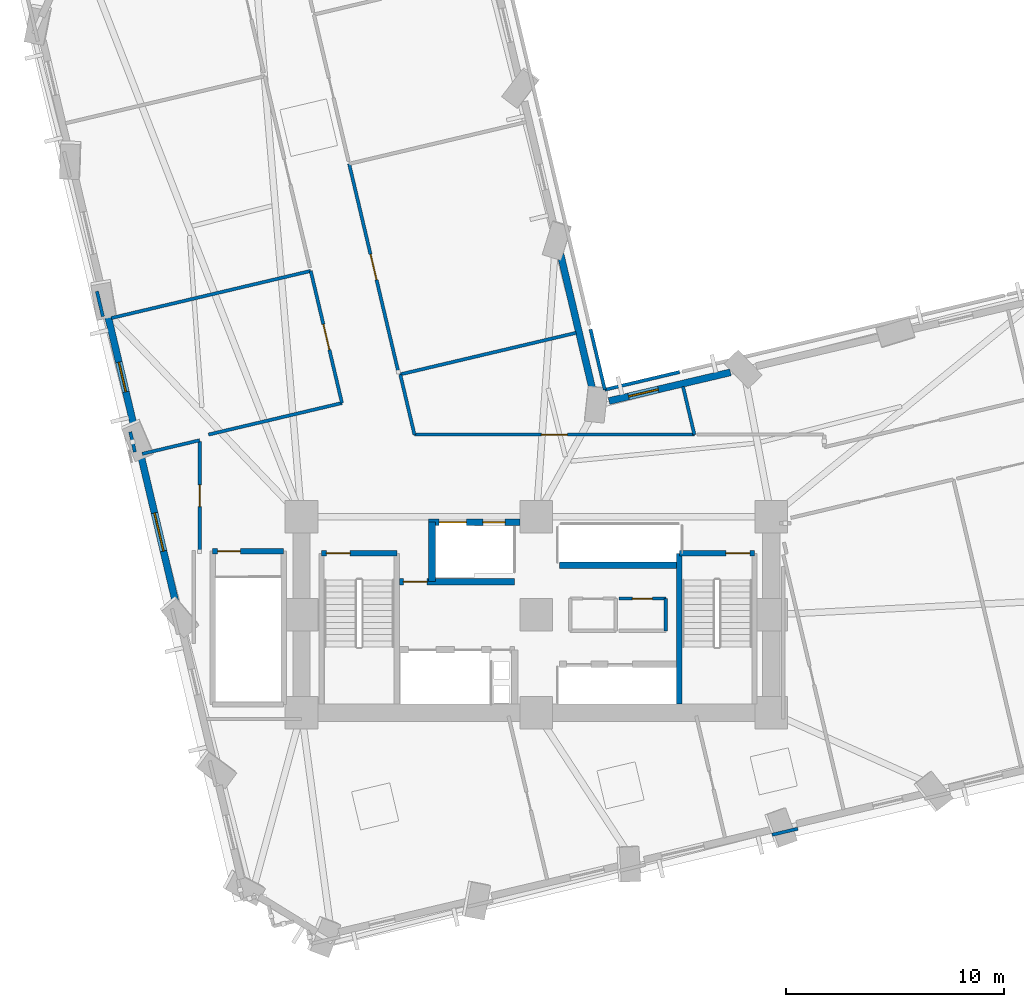
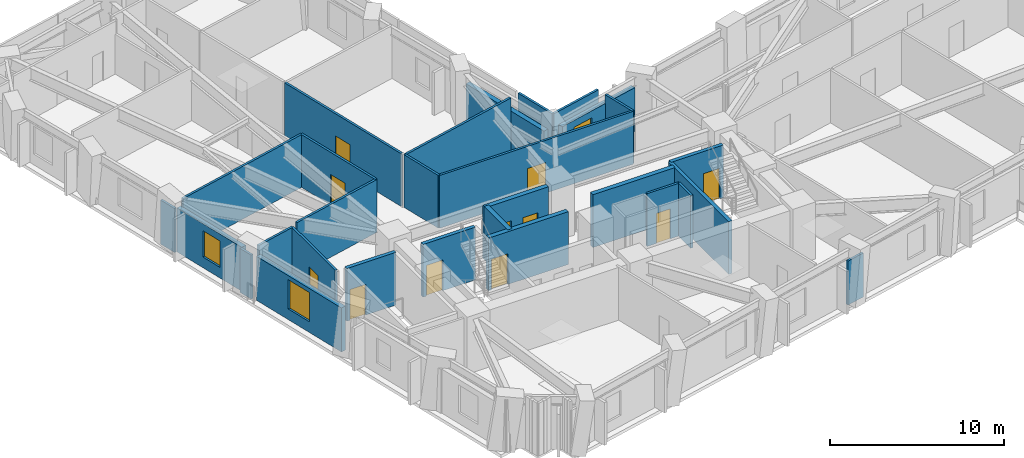
# One storey, part 7 of 14: 29 walls, 11 doors, 3 windows, 14 openings.
"""IFC4 building model written with IfcOpenShell, lengths in metres."""

from ifc_helpers import new_model, si_unit, direction, frame, frame_2d, origin, place, context, subcontext, project, spatial, rectangle, extrude, material, layer, layer_set, type_object, element, fill, save


model = new_model("IFC4")

# Units and contexts
model_context = context("Model", 3, precision=1e-05, world=origin(), true_north=direction((0.0, 1.0)))
body_context = subcontext(model_context, "Body", "Model", "MODEL_VIEW")
ifc_project = project(units=[si_unit("LENGTHUNIT", "METRE"), si_unit("AREAUNIT", "SQUARE_METRE"), si_unit("VOLUMEUNIT", "CUBIC_METRE"), si_unit("PLANEANGLEUNIT", "RADIAN"), si_unit("MASSUNIT", "GRAM", prefix="KILO")], contexts=[model_context])

# Site, building, storey
site_placement = place(None, origin())
site = spatial("IfcSite", under=ifc_project, at=site_placement, CompositionType="ELEMENT")
building_placement = place(site_placement, origin())
building = spatial("IfcBuilding", under=site, at=building_placement, Name="Gaonmaruhae Medical Tower", CompositionType="ELEMENT")
storey_placement = place(building_placement, frame((0.0, 0.0, 79.0)))
storey = spatial("IfcBuildingStorey", under=building, at=storey_placement, Name="L18", CompositionType="ELEMENT", Elevation=79.0)

# Wall, opening, window
ifc_material_1 = material(Name="Precast concrete C45/55", Category="concrete")
ifc_layer_1 = layer(ifc_material_1, 0.320068359375)
ifc_layer_set_1 = layer_set([ifc_layer_1], Name="Precast concrete C45/55")
wall_type_1 = type_object("IfcWallType", Name="EW-320 Lower Precast Masonry-Frame Facade Wall", PredefinedType="SOLIDWALL", material=ifc_layer_set_1)
wall_1_placement = place(storey_placement, frame((28.13671875, 22.121337890625, 0.0), z_axis=(0.0, 0.0, 1.0), x_axis=(0.973179415544, 0.230047441111, 0.0)))
wall_1 = element("IfcWall", 1, at=wall_1_placement, inside=storey, type_object=wall_type_1, Name="L18 Precast Masonry-Frame Wall EN04-KN01", PredefinedType="SOLIDWALL", context=body_context, shape_type="SweptSolid", body=[
    extrude(rectangle(XDim=5.736083984375, YDim=0.320068359375, at=frame_2d((2.8681640625, 0.0))), origin(), (0.0, 0.0, 1.0), 3.0849609375),
])
opening_1_placement = place(wall_1_placement, frame((0.927978515625, 0.0, 0.75)))
opening_1 = element("IfcOpeningElement", 2, at=opening_1_placement, cuts=wall_1, Name="Opening WN-03", PredefinedType="OPENING", context=body_context, shape_type="SweptSolid", body=[
    extrude(rectangle(XDim=1.39990234375, YDim=1.85009765625, at=frame_2d((0.699951171875, 0.925048828125))), frame((0.0, 0.169921875, 0.0), z_axis=(0.0, -1.0, 0.0), x_axis=(1.0, 0.0, 0.0)), (0.0, 0.0, 1.0), 0.340087890625),
])
ifc_material_2 = material(Name="Anodised aluminium and Low-E double glazing", Category="aluminium")
window_type_1 = type_object("IfcWindowType", Name="WN-03 Isolation Ward Punched Window 1400x1850", PartitioningType="SINGLE_PANEL", PredefinedType="WINDOW", material=ifc_material_2)
window_1_placement = place(opening_1_placement, origin())
window_1 = element("IfcWindow", 3, at=window_1_placement, inside=storey, type_object=window_type_1, Name="L18 Modular Facade Window EN04", OverallHeight=1.85009765625, OverallWidth=1.39990234375, PartitioningType="SINGLE_PANEL", PredefinedType="WINDOW", context=body_context, shape_type="SweptSolid", body=[
    extrude(rectangle(XDim=1.39990234375, YDim=1.85009765625, at=frame_2d((0.699951171875, 0.925048828125))), frame((0.0, 0.030029296875, 0.0), z_axis=(0.0, -1.0, 0.0), x_axis=(1.0, 0.0, 0.0)), (0.0, 0.0, 1.0), 0.06005859375),
])
fill(opening_1, window_1)

# Wall
wall_2_placement = place(storey_placement, frame((27.408935546875, 22.51806640625, 0.0), z_axis=(0.0, 0.0, 1.0), x_axis=(-0.230053111414, 0.973178075138, 0.0)))
element("IfcWall", 4, at=wall_2_placement, inside=storey, type_object=wall_type_1, Name="L18 Precast Masonry-Frame Wall KN01-NE01", PredefinedType="SOLIDWALL", context=body_context, shape_type="SweptSolid", body=[
    extrude(rectangle(XDim=6.5361328125, YDim=0.320068359375, at=frame_2d((3.26806640625, 0.0))), origin(), (0.0, 0.0, 1.0), 2.784912109375),
])

# Wall, opening, window
wall_3_placement = place(storey_placement, frame((6.35009765625, 20.752685546875, 0.0), z_axis=(0.0, 0.0, 1.0), x_axis=(-0.230050193373, 0.973178764939, 0.0)))
wall_3 = element("IfcWall", 5, at=wall_3_placement, inside=storey, type_object=wall_type_1, Name="L18 Precast Masonry-Frame Wall W03-W04", PredefinedType="SOLIDWALL", context=body_context, shape_type="SweptSolid", body=[
    extrude(rectangle(XDim=5.437744140625, YDim=0.320068359375, at=frame_2d((2.71875, 0.0))), origin(), (0.0, 0.0, 1.0), 3.0849609375),
])
opening_2_placement = place(wall_3_placement, frame((1.842529296875, 0.0, 0.75)))
opening_2 = element("IfcOpeningElement", 6, at=opening_2_placement, cuts=wall_3, Name="Opening WN-03", PredefinedType="OPENING", context=body_context, shape_type="SweptSolid", body=[
    extrude(rectangle(XDim=1.39990234375, YDim=1.85009765625, at=frame_2d((0.699951171875, 0.925048828125))), frame((0.0, 0.169921875, 0.0), z_axis=(0.0, -1.0, 0.0), x_axis=(1.0, 0.0, 0.0)), (0.0, 0.0, 1.0), 0.340087890625),
])
window_2_placement = place(opening_2_placement, origin())
window_2 = element("IfcWindow", 7, at=window_2_placement, inside=storey, type_object=window_type_1, Name="L18 Modular Facade Window W03", OverallHeight=1.85009765625, OverallWidth=1.39990234375, PartitioningType="SINGLE_PANEL", PredefinedType="WINDOW", context=body_context, shape_type="SweptSolid", body=[
    extrude(rectangle(XDim=1.39990234375, YDim=1.85009765625, at=frame_2d((0.699951171875, 0.925048828125))), frame((0.0, 0.030029296875, 0.0), z_axis=(0.0, -1.0, 0.0), x_axis=(1.0, 0.0, 0.0)), (0.0, 0.0, 1.0), 0.06005859375),
])
fill(opening_2, window_2)

wall_4_placement = place(storey_placement, frame((8.271484375, 12.625, 0.0), z_axis=(0.0, 0.0, 1.0), x_axis=(-0.230038414449, 0.97318154929, 0.0)))
wall_4 = element("IfcWall", 8, at=wall_4_placement, inside=storey, type_object=wall_type_1, Name="L18 Precast Masonry-Frame Wall W04-W05", PredefinedType="SOLIDWALL", context=body_context, shape_type="SweptSolid", body=[
    extrude(rectangle(XDim=7.13623046875, YDim=0.320068359375, at=frame_2d((3.568115234375, 0.0))), origin(), (0.0, 0.0, 1.0), 3.0849609375),
])
opening_3_placement = place(wall_4_placement, frame((2.668701171875, 0.0, 0.75)))
opening_3 = element("IfcOpeningElement", 9, at=opening_3_placement, cuts=wall_4, Name="Opening WN-04", PredefinedType="OPENING", context=body_context, shape_type="SweptSolid", body=[
    extrude(rectangle(XDim=1.800048828125, YDim=2.050048828125, at=frame_2d((0.89990234375, 1.02490234375))), frame((0.0, 0.169921875, 0.0), z_axis=(0.0, -1.0, 0.0), x_axis=(1.0, 0.0, 0.0)), (0.0, 0.0, 1.0), 0.340087890625),
])
window_type_2 = type_object("IfcWindowType", Name="WN-04 Clinic & Consult Punched Window 1800x2050", PartitioningType="SINGLE_PANEL", PredefinedType="WINDOW", material=ifc_material_2)
window_3_placement = place(opening_3_placement, origin())
window_3 = element("IfcWindow", 10, at=window_3_placement, inside=storey, type_object=window_type_2, Name="L18 Modular Facade Window W04", OverallHeight=2.050048828125, OverallWidth=1.800048828125, PartitioningType="SINGLE_PANEL", PredefinedType="WINDOW", context=body_context, shape_type="SweptSolid", body=[
    extrude(rectangle(XDim=1.800048828125, YDim=2.050048828125, at=frame_2d((0.89990234375, 1.02490234375))), frame((0.0, 0.030029296875, 0.0), z_axis=(0.0, -1.0, 0.0), x_axis=(1.0, 0.0, 0.0)), (0.0, 0.0, 1.0), 0.06005859375),
])
fill(opening_3, window_3)

# Wall, opening, door
ifc_material_3 = material(Name="Gypsum board partition", Category="gypsum")
ifc_layer_2 = layer(ifc_material_3, 0.14990234375)
ifc_layer_set_2 = layer_set([ifc_layer_2], Name="Gypsum board partition")
wall_type_2 = type_object("IfcWallType", Name="PW-150 Rated Clinical Corridor Partition", PredefinedType="PARTITIONING", material=ifc_layer_set_2)
wall_5_placement = place(storey_placement, frame((28.60009765625, 13.0400390625, 0.0), z_axis=(0.0, 0.0, 1.0), x_axis=(1.0, 0.0, 0.0)))
wall_5 = element("IfcWall", 11, at=wall_5_placement, inside=storey, type_object=wall_type_2, Name="L18 Interior Partition L18-CS2-5", PredefinedType="PARTITIONING", context=body_context, shape_type="SweptSolid", body=[
    extrude(rectangle(XDim=2.14990234375, YDim=0.14990234375, at=frame_2d((1.074951171875, 0.0))), origin(), (0.0, 0.0, 1.0), 3.699951171875),
])
opening_4_placement = place(wall_5_placement, frame((0.614990234375, 0.0, 0.0)))
opening_4 = element("IfcOpeningElement", 12, at=opening_4_placement, cuts=wall_5, Name="Opening UD-01", PredefinedType="OPENING", context=body_context, shape_type="SweptSolid", body=[
    extrude(rectangle(XDim=0.919921875, YDim=2.10009765625, at=frame_2d((0.4599609375, 1.050048828125))), frame((0.0, 0.0849609375, 0.0), z_axis=(0.0, -1.0, 0.0), x_axis=(1.0, 0.0, 0.0)), (0.0, 0.0, 1.0), 0.169921875),
])
ifc_material_4 = material(Name="Powder-coated steel utility door", Category="steel")
door_type_1 = type_object("IfcDoorType", Name="UD-01 Toilet, Utility & Housekeeping Door 920x2100", OperationType="NOTDEFINED", PredefinedType="DOOR", material=ifc_material_4)
door_1_placement = place(opening_4_placement, origin())
door_1 = element("IfcDoor", 13, at=door_1_placement, inside=storey, type_object=door_type_1, Name="L18 Biomedical Telemetry Closet Door", OperationType="SINGLE_SWING_RIGHT", OverallHeight=2.10009765625, OverallWidth=0.919921875, PredefinedType="DOOR", context=body_context, shape_type="SweptSolid", body=[
    extrude(rectangle(XDim=0.919921875, YDim=2.10009765625, at=frame_2d((0.4599609375, 1.050048828125))), frame((0.0, 0.02490234375, 0.0), z_axis=(0.0, -1.0, 0.0), x_axis=(1.0, 0.0, 0.0)), (0.0, 0.0, 1.0), 0.050048828125),
])
fill(opening_4, door_1)

# Walls
wall_6_placement = place(storey_placement, frame((30.75, 13.0400390625, 0.0), z_axis=(0.0, 0.0, 1.0), x_axis=(0.0, -1.0, 0.0)))
element("IfcWall", 14, at=wall_6_placement, inside=storey, type_object=wall_type_2, Name="L18 Interior Partition L18-CS2-6", PredefinedType="PARTITIONING", context=body_context, shape_type="SweptSolid", body=[
    extrude(rectangle(XDim=1.47998046875, YDim=0.14990234375, at=frame_2d((0.739990234375, 0.0))), origin(), (0.0, 0.0, 1.0), 3.699951171875),
])
wall_7_placement = place(storey_placement, frame((36.818115234375, 2.4609375, 0.0), z_axis=(0.0, 0.0, 1.0), x_axis=(-0.973293226806, -0.229565447429, 0.0)))
element("IfcWall", 15, at=wall_7_placement, inside=storey, type_object=wall_type_2, Name="L18 Interior Partition L18-SUP04-22", PredefinedType="PARTITIONING", context=body_context, shape_type="SweptSolid", body=[
    extrude(rectangle(XDim=1.215576171875, YDim=0.14990234375, at=frame_2d((0.60791015625, 0.0))), origin(), (0.0, 0.0, 1.0), 3.0849609375),
])
wall_8_placement = place(storey_placement, frame((6.679931640625, 19.695068359375, 0.0), z_axis=(0.0, 0.0, 1.0), x_axis=(0.973185345339, 0.230022354604, 0.0)))
element("IfcWall", 16, at=wall_8_placement, inside=storey, type_object=wall_type_2, Name="L18 Interior Partition L18-WCL09-45", PredefinedType="PARTITIONING", context=body_context, shape_type="SweptSolid", body=[
    extrude(rectangle(XDim=2.712890625, YDim=0.14990234375, at=frame_2d((1.3564453125, 0.0))), origin(), (0.0, 0.0, 1.0), 3.699951171875),
])

# Wall, opening, door
wall_9_placement = place(storey_placement, frame((9.320068359375, 20.26806640625, 0.0), z_axis=(0.0, 0.0, 1.0), x_axis=(0.0, -1.0, 0.0)))
wall_9 = element("IfcWall", 17, at=wall_9_placement, inside=storey, type_object=wall_type_2, Name="L18 Interior Partition L18-WCL09-46", PredefinedType="PARTITIONING", context=body_context, shape_type="SweptSolid", body=[
    extrude(rectangle(XDim=4.990966796875, YDim=0.14990234375, at=frame_2d((2.49560546875, 0.0))), origin(), (0.0, 0.0, 1.0), 3.699951171875),
])
opening_5_placement = place(wall_9_placement, frame((1.99560546875, 0.0, 0.0)))
opening_5 = element("IfcOpeningElement", 18, at=opening_5_placement, cuts=wall_9, Name="Opening CD-01", PredefinedType="OPENING", context=body_context, shape_type="SweptSolid", body=[
    extrude(rectangle(XDim=1.0, YDim=2.1201171875, at=frame_2d((0.5, 1.06005859375))), frame((0.0, 0.0849609375, 0.0), z_axis=(0.0, -1.0, 0.0), x_axis=(1.0, 0.0, 0.0)), (0.0, 0.0, 1.0), 0.169921875),
])
ifc_material_5 = material(Name="Antimicrobial laminate timber fire door", Category="wood")
door_type_2 = type_object("IfcDoorType", Name="CD-01 Consultation & Physician Office Door 1000x2120", OperationType="NOTDEFINED", PredefinedType="DOOR", material=ifc_material_5)
door_2_placement = place(opening_5_placement, origin())
door_2 = element("IfcDoor", 19, at=door_2_placement, inside=storey, type_object=door_type_2, Name="L18 Specialist Consultation Office Door", OperationType="SINGLE_SWING_LEFT", OverallHeight=2.1201171875, OverallWidth=1.0, PredefinedType="DOOR", context=body_context, shape_type="SweptSolid", body=[
    extrude(rectangle(XDim=1.0, YDim=2.1201171875, at=frame_2d((0.5, 1.06005859375))), frame((0.0, 0.02490234375, 0.0), z_axis=(0.0, -1.0, 0.0), x_axis=(1.0, 0.0, 0.0)), (0.0, 0.0, 1.0), 0.050048828125),
])
fill(opening_5, door_2)

# Walls
wall_10_placement = place(storey_placement, frame((6.343994140625, 19.780029296875, 0.0), z_axis=(0.0, 0.0, 1.0), x_axis=(-0.229629572874, 0.973278099652, 0.0)))
element("IfcWall", 20, at=wall_10_placement, inside=storey, type_object=wall_type_2, Name="L18 Interior Partition L18-WOF10-47", PredefinedType="PARTITIONING", context=body_context, shape_type="SweptSolid", body=[
    extrude(rectangle(XDim=0.945068359375, YDim=0.14990234375, at=frame_2d((0.47265625, 0.0))), origin(), (0.0, 0.0, 1.0), 3.0849609375),
])
wall_11_placement = place(storey_placement, frame((5.262939453125, 25.93701171875, 0.0), z_axis=(0.0, 0.0, 1.0), x_axis=(0.973179969002, 0.230045099781, 0.0)))
element("IfcWall", 21, at=wall_11_placement, inside=storey, type_object=wall_type_2, Name="L18 Interior Partition L18-WOF10-48", PredefinedType="PARTITIONING", context=body_context, shape_type="SweptSolid", body=[
    extrude(rectangle(XDim=9.41552734375, YDim=0.14990234375, at=frame_2d((4.707763671875, 0.0))), origin(), (0.0, 0.0, 1.0), 3.699951171875),
])

# Wall, opening, door
wall_12_placement = place(storey_placement, frame((14.426025390625, 28.10302734375, 0.0), z_axis=(0.0, 0.0, 1.0), x_axis=(0.229968189108, -0.973198146319, 0.0)))
wall_12 = element("IfcWall", 22, at=wall_12_placement, inside=storey, type_object=wall_type_2, Name="L18 Interior Partition L18-WOF10-49", PredefinedType="PARTITIONING", context=body_context, shape_type="SweptSolid", body=[
    extrude(rectangle(XDim=6.240234375, YDim=0.14990234375, at=frame_2d((3.1201171875, 0.0))), origin(), (0.0, 0.0, 1.0), 3.699951171875),
])
opening_6_placement = place(wall_12_placement, frame((2.52001953125, 0.0, 0.0)))
opening_6 = element("IfcOpeningElement", 23, at=opening_6_placement, cuts=wall_12, Name="Opening CD-02", PredefinedType="OPENING", context=body_context, shape_type="SweptSolid", body=[
    extrude(rectangle(XDim=1.199951171875, YDim=2.14990234375, at=frame_2d((0.60009765625, 1.074951171875))), frame((0.0, 0.0849609375, 0.0), z_axis=(0.0, -1.0, 0.0), x_axis=(1.0, 0.0, 0.0)), (0.0, 0.0, 1.0), 0.169921875),
])
door_type_3 = type_object("IfcDoorType", Name="CD-02 Clinical Treatment & Procedure Door 1200x2150", OperationType="NOTDEFINED", PredefinedType="DOOR", material=ifc_material_5)
door_3_placement = place(opening_6_placement, origin())
door_3 = element("IfcDoor", 24, at=door_3_placement, inside=storey, type_object=door_type_3, Name="L18 Ward Physician Reporting Office Door", OperationType="SINGLE_SWING_RIGHT", OverallHeight=2.14990234375, OverallWidth=1.199951171875, PredefinedType="DOOR", context=body_context, shape_type="SweptSolid", body=[
    extrude(rectangle(XDim=1.199951171875, YDim=2.14990234375, at=frame_2d((0.60009765625, 1.074951171875))), frame((0.0, 0.02490234375, 0.0), z_axis=(0.0, -1.0, 0.0), x_axis=(1.0, 0.0, 0.0)), (0.0, 0.0, 1.0), 0.050048828125),
])
fill(opening_6, door_3)

# Walls
wall_13_placement = place(storey_placement, frame((15.861083984375, 22.030029296875, 0.0), z_axis=(0.0, 0.0, 1.0), x_axis=(-0.973173259021, -0.230073483752, 0.0)))
element("IfcWall", 25, at=wall_13_placement, inside=storey, type_object=wall_type_2, Name="L18 Interior Partition L18-WOF10-50", PredefinedType="PARTITIONING", context=body_context, shape_type="SweptSolid", body=[
    extrude(rectangle(XDim=6.302001953125, YDim=0.14990234375, at=frame_2d((3.15087890625, 0.0))), origin(), (0.0, 0.0, 1.0), 3.699951171875),
])
wall_14_placement = place(storey_placement, frame((4.87109375, 26.008056640625, 0.0), z_axis=(0.0, 0.0, 1.0), x_axis=(-0.230216073448, 0.973139537541, 0.0)))
element("IfcWall", 26, at=wall_14_placement, inside=storey, type_object=wall_type_2, Name="L18 Interior Partition L18-WOF11-53", PredefinedType="PARTITIONING", context=body_context, shape_type="SweptSolid", body=[
    extrude(rectangle(XDim=1.19091796875, YDim=0.14990234375, at=frame_2d((0.595458984375, 0.0))), origin(), (0.0, 0.0, 1.0), 3.0849609375),
])
wall_15_placement = place(storey_placement, frame((18.5400390625, 23.346923828125, 0.0), z_axis=(0.0, 0.0, 1.0), x_axis=(0.97319466158, 0.229982935611, 0.0)))
element("IfcWall", 27, at=wall_15_placement, inside=storey, type_object=wall_type_2, Name="L18 Interior Partition L18-IE01-59", PredefinedType="PARTITIONING", context=body_context, shape_type="SweptSolid", body=[
    extrude(rectangle(XDim=8.3056640625, YDim=0.14990234375, at=frame_2d((4.15283203125, 0.0))), origin(), (0.0, 0.0, 1.0), 3.699951171875),
])
wall_16_placement = place(storey_placement, frame((27.2890625, 25.4150390625, 0.0), z_axis=(0.0, 0.0, 1.0), x_axis=(0.230141967598, -0.973157065817, 0.0)))
element("IfcWall", 28, at=wall_16_placement, inside=storey, type_object=wall_type_2, Name="L18 Interior Partition L18-IE01-60", PredefinedType="PARTITIONING", context=body_context, shape_type="SweptSolid", body=[
    extrude(rectangle(XDim=2.850341796875, YDim=0.14990234375, at=frame_2d((1.42529296875, 0.0))), origin(), (0.0, 0.0, 1.0), 3.699951171875),
])
wall_17_placement = place(storey_placement, frame((27.945068359375, 22.64111328125, 0.0), z_axis=(0.0, 0.0, 1.0), x_axis=(0.973146335826, 0.230187334728, 0.0)))
element("IfcWall", 29, at=wall_17_placement, inside=storey, type_object=wall_type_2, Name="L18 Interior Partition L18-IE01-61", PredefinedType="PARTITIONING", context=body_context, shape_type="SweptSolid", body=[
    extrude(rectangle(XDim=3.53173828125, YDim=0.14990234375, at=frame_2d((1.765869140625, 0.0))), origin(), (0.0, 0.0, 1.0), 3.699951171875),
])
wall_18_placement = place(storey_placement, frame((31.5400390625, 22.787109375, 0.0), z_axis=(0.0, 0.0, 1.0), x_axis=(0.230155211314, -0.973153933715, 0.0)))
element("IfcWall", 30, at=wall_18_placement, inside=storey, type_object=wall_type_2, Name="L18 Interior Partition L18-IE01-62", PredefinedType="PARTITIONING", context=body_context, shape_type="SweptSolid", body=[
    extrude(rectangle(XDim=2.267822265625, YDim=0.14990234375, at=frame_2d((1.1337890625, 0.0))), origin(), (0.0, 0.0, 1.0), 3.699951171875),
])

# Wall, opening, door
wall_19_placement = place(storey_placement, frame((32.06201171875, 20.580078125, 0.0), z_axis=(0.0, 0.0, 1.0), x_axis=(-1.0, 0.0, 0.0)))
wall_19 = element("IfcWall", 31, at=wall_19_placement, inside=storey, type_object=wall_type_2, Name="L18 Interior Partition L18-IE01-63", PredefinedType="PARTITIONING", context=body_context, shape_type="SweptSolid", body=[
    extrude(rectangle(XDim=12.867919921875, YDim=0.14990234375, at=frame_2d((6.43408203125, 0.0))), origin(), (0.0, 0.0, 1.0), 3.699951171875),
])
opening_7_placement = place(wall_19_placement, frame((5.833984375, 0.0, 0.0)))
opening_7 = element("IfcOpeningElement", 32, at=opening_7_placement, cuts=wall_19, Name="Opening CD-02", PredefinedType="OPENING", context=body_context, shape_type="SweptSolid", body=[
    extrude(rectangle(XDim=1.199951171875, YDim=2.14990234375, at=frame_2d((0.60009765625, 1.074951171875))), frame((0.0, 0.0849609375, 0.0), z_axis=(0.0, -1.0, 0.0), x_axis=(1.0, 0.0, 0.0)), (0.0, 0.0, 1.0), 0.169921875),
])
door_4_placement = place(opening_7_placement, origin())
door_4 = element("IfcDoor", 33, at=door_4_placement, inside=storey, type_object=door_type_3, Name="L18 Central Clinical Nurse Station Door", OperationType="SINGLE_SWING_RIGHT", OverallHeight=2.14990234375, OverallWidth=1.199951171875, PredefinedType="DOOR", context=body_context, shape_type="SweptSolid", body=[
    extrude(rectangle(XDim=1.199951171875, YDim=2.14990234375, at=frame_2d((0.60009765625, 1.074951171875))), frame((0.0, 0.02490234375, 0.0), z_axis=(0.0, -1.0, 0.0), x_axis=(1.0, 0.0, 0.0)), (0.0, 0.0, 1.0), 0.050048828125),
])
fill(opening_7, door_4)

# Wall
wall_20_placement = place(storey_placement, frame((19.194091796875, 20.580078125, 0.0), z_axis=(0.0, 0.0, 1.0), x_axis=(-0.230049112819, 0.973179020372, 0.0)))
element("IfcWall", 34, at=wall_20_placement, inside=storey, type_object=wall_type_2, Name="L18 Interior Partition L18-IE01-64", PredefinedType="PARTITIONING", context=body_context, shape_type="SweptSolid", body=[
    extrude(rectangle(XDim=2.843017578125, YDim=0.14990234375, at=frame_2d((1.42138671875, 0.0))), origin(), (0.0, 0.0, 1.0), 3.699951171875),
])

# Wall, opening, door
wall_21_placement = place(storey_placement, frame((18.43408203125, 23.537109375, 0.0), z_axis=(0.0, 0.0, 1.0), x_axis=(-0.23006080979, 0.973176255258, 0.0)))
wall_21 = element("IfcWall", 35, at=wall_21_placement, inside=storey, type_object=wall_type_2, Name="L18 Interior Partition L18-IN01-80", PredefinedType="PARTITIONING", context=body_context, shape_type="SweptSolid", body=[
    extrude(rectangle(XDim=9.750244140625, YDim=0.14990234375, at=frame_2d((4.875, 0.0))), origin(), (0.0, 0.0, 1.0), 3.699951171875),
])
opening_8_placement = place(wall_21_placement, frame((4.275146484375, 0.0, 0.0)))
opening_8 = element("IfcOpeningElement", 36, at=opening_8_placement, cuts=wall_21, Name="Opening CD-02", PredefinedType="OPENING", context=body_context, shape_type="SweptSolid", body=[
    extrude(rectangle(XDim=1.199951171875, YDim=2.14990234375, at=frame_2d((0.60009765625, 1.074951171875))), frame((0.0, 0.0849609375, 0.0), z_axis=(0.0, -1.0, 0.0), x_axis=(1.0, 0.0, 0.0)), (0.0, 0.0, 1.0), 0.169921875),
])
door_5_placement = place(opening_8_placement, origin())
door_5 = element("IfcDoor", 37, at=door_5_placement, inside=storey, type_object=door_type_3, Name="L18 Physician Consultation Office Door", OperationType="SINGLE_SWING_RIGHT", OverallHeight=2.14990234375, OverallWidth=1.199951171875, PredefinedType="DOOR", context=body_context, shape_type="SweptSolid", body=[
    extrude(rectangle(XDim=1.199951171875, YDim=2.14990234375, at=frame_2d((0.60009765625, 1.074951171875))), frame((0.0, 0.02490234375, 0.0), z_axis=(0.0, -1.0, 0.0), x_axis=(1.0, 0.0, 0.0)), (0.0, 0.0, 1.0), 0.050048828125),
])
fill(opening_8, door_5)

ifc_material_6 = material(Name="Concrete C50/60", Category="concrete")
ifc_layer_3 = layer(ifc_material_6, 0.239990234375)
ifc_layer_set_3 = layer_set([ifc_layer_3], Name="Concrete C50/60")
wall_type_3 = type_object("IfcWallType", Name="SW-240 Dogleg Stair Tight Shaft Wall", PredefinedType="SOLIDWALL", material=ifc_layer_set_3)
wall_22_placement = place(storey_placement, frame((14.919921875, 15.1201171875, 0.0), z_axis=(0.0, 0.0, 1.0), x_axis=(1.0, 0.0, 0.0)))
wall_22 = element("IfcWall", 38, at=wall_22_placement, inside=storey, type_object=wall_type_3, Name="L18 ST-01 Stair Shaft Wall SHW-ST-01-N", PredefinedType="SOLIDWALL", context=body_context, shape_type="SweptSolid", body=[
    extrude(rectangle(XDim=3.4599609375, YDim=0.239990234375, at=frame_2d((1.72998046875, 0.0))), origin(), (0.0, 0.0, 1.0), 3.699951171875),
])
opening_9_placement = place(wall_22_placement, frame((0.219970703125, 0.0, 0.0)))
opening_9 = element("IfcOpeningElement", 39, at=opening_9_placement, cuts=wall_22, Name="Opening FD-01", PredefinedType="OPENING", context=body_context, shape_type="SweptSolid", body=[
    extrude(rectangle(XDim=1.10009765625, YDim=2.14990234375, at=frame_2d((0.550048828125, 1.074951171875))), frame((0.0, 0.1298828125, 0.0), z_axis=(0.0, -1.0, 0.0), x_axis=(1.0, 0.0, 0.0)), (0.0, 0.0, 1.0), 0.260009765625),
])
ifc_material_7 = material(Name="Powder-coated steel fire door", Category="steel")
door_type_4 = type_object("IfcDoorType", Name="FD-01 Escape Stair Protected Fire Door 1100x2150", OperationType="NOTDEFINED", PredefinedType="DOOR", material=ifc_material_7)
door_6_placement = place(opening_9_placement, origin())
door_6 = element("IfcDoor", 40, at=door_6_placement, inside=storey, type_object=door_type_4, Name="L18 ST-01 Protected Escape Stair Door", OperationType="SINGLE_SWING_RIGHT", OverallHeight=2.14990234375, OverallWidth=1.10009765625, PredefinedType="DOOR", context=body_context, shape_type="SweptSolid", body=[
    extrude(rectangle(XDim=1.10009765625, YDim=2.14990234375, at=frame_2d((0.550048828125, 1.074951171875))), frame((0.0, 0.02490234375, 0.0), z_axis=(0.0, -1.0, 0.0), x_axis=(1.0, 0.0, 0.0)), (0.0, 0.0, 1.0), 0.050048828125),
])
fill(opening_9, door_6)

wall_23_placement = place(storey_placement, frame((31.3701171875, 15.1201171875, 0.0), z_axis=(0.0, 0.0, 1.0), x_axis=(1.0, 0.0, 0.0)))
wall_23 = element("IfcWall", 41, at=wall_23_placement, inside=storey, type_object=wall_type_3, Name="L18 ST-02 Stair Shaft Wall SHW-ST-02-N", PredefinedType="SOLIDWALL", context=body_context, shape_type="SweptSolid", body=[
    extrude(rectangle(XDim=3.4599609375, YDim=0.239990234375, at=frame_2d((1.72998046875, 0.0))), origin(), (0.0, 0.0, 1.0), 3.699951171875),
])
opening_10_placement = place(wall_23_placement, frame((2.139892578125, 0.0, 0.0)))
opening_10 = element("IfcOpeningElement", 42, at=opening_10_placement, cuts=wall_23, Name="Opening FD-01", PredefinedType="OPENING", context=body_context, shape_type="SweptSolid", body=[
    extrude(rectangle(XDim=1.10009765625, YDim=2.14990234375, at=frame_2d((0.550048828125, 1.074951171875))), frame((0.0, 0.1298828125, 0.0), z_axis=(0.0, -1.0, 0.0), x_axis=(1.0, 0.0, 0.0)), (0.0, 0.0, 1.0), 0.260009765625),
])
door_7_placement = place(opening_10_placement, origin())
door_7 = element("IfcDoor", 43, at=door_7_placement, inside=storey, type_object=door_type_4, Name="L18 ST-02 Protected Escape Stair Door", OperationType="SINGLE_SWING_LEFT", OverallHeight=2.14990234375, OverallWidth=1.10009765625, PredefinedType="DOOR", context=body_context, shape_type="SweptSolid", body=[
    extrude(rectangle(XDim=1.10009765625, YDim=2.14990234375, at=frame_2d((0.550048828125, 1.074951171875))), frame((0.0, 0.02490234375, 0.0), z_axis=(0.0, -1.0, 0.0), x_axis=(1.0, 0.0, 0.0)), (0.0, 0.0, 1.0), 0.050048828125),
])
fill(opening_10, door_7)

# Wall
wall_24_placement = place(storey_placement, frame((31.3701171875, 8.199951171875, 0.0), z_axis=(0.0, 0.0, 1.0), x_axis=(0.0, 1.0, 0.0)))
element("IfcWall", 44, at=wall_24_placement, inside=storey, type_object=wall_type_3, Name="L18 ST-02 Stair Shaft Wall SHW-ST-02-W", PredefinedType="SOLIDWALL", context=body_context, shape_type="SweptSolid", body=[
    extrude(rectangle(XDim=6.920166015625, YDim=0.239990234375, at=frame_2d((3.4599609375, 0.0))), origin(), (0.0, 0.0, 1.0), 3.699951171875),
])

# Wall, opening, door
wall_25_placement = place(storey_placement, frame((9.919921875, 15.219970703125, 0.0), z_axis=(0.0, 0.0, 1.0), x_axis=(1.0, 0.0, 0.0)))
wall_25 = element("IfcWall", 45, at=wall_25_placement, inside=storey, type_object=wall_type_3, Name="L18 ST-03 Stair Shaft Wall SHW-ST-03-N", PredefinedType="SOLIDWALL", context=body_context, shape_type="SweptSolid", body=[
    extrude(rectangle(XDim=3.260009765625, YDim=0.239990234375, at=frame_2d((1.6298828125, 0.0))), origin(), (0.0, 0.0, 1.0), 3.699951171875),
])
opening_11_placement = place(wall_25_placement, frame((0.219970703125, 0.0, 0.0)))
opening_11 = element("IfcOpeningElement", 46, at=opening_11_placement, cuts=wall_25, Name="Opening FD-02", PredefinedType="OPENING", context=body_context, shape_type="SweptSolid", body=[
    extrude(rectangle(XDim=1.050048828125, YDim=2.14990234375, at=frame_2d((0.52490234375, 1.074951171875))), frame((0.0, 0.1298828125, 0.0), z_axis=(0.0, -1.0, 0.0), x_axis=(1.0, 0.0, 0.0)), (0.0, 0.0, 1.0), 0.260009765625),
])
door_type_5 = type_object("IfcDoorType", Name="FD-02 Secondary Stair Fire Door 1050x2150", OperationType="NOTDEFINED", PredefinedType="DOOR", material=ifc_material_7)
door_8_placement = place(opening_11_placement, origin())
door_8 = element("IfcDoor", 47, at=door_8_placement, inside=storey, type_object=door_type_5, Name="L18 ST-03 Protected Escape Stair Door", OperationType="SINGLE_SWING_RIGHT", OverallHeight=2.14990234375, OverallWidth=1.050048828125, PredefinedType="DOOR", context=body_context, shape_type="SweptSolid", body=[
    extrude(rectangle(XDim=1.050048828125, YDim=2.14990234375, at=frame_2d((0.52490234375, 1.074951171875))), frame((0.0, 0.02490234375, 0.0), z_axis=(0.0, -1.0, 0.0), x_axis=(1.0, 0.0, 0.0)), (0.0, 0.0, 1.0), 0.050048828125),
])
fill(opening_11, door_8)

# Wall, openings, doors
ifc_layer_4 = layer(ifc_material_6, 0.300048828125)
ifc_layer_set_4 = layer_set([ifc_layer_4], Name="Concrete C50/60")
wall_type_4 = type_object("IfcWallType", Name="SW-300 Stair & Lift Hoistway Shaft Wall", PredefinedType="SOLIDWALL", material=ifc_layer_set_4)
wall_26_placement = place(storey_placement, frame((19.85009765625, 16.550048828125, 0.0), z_axis=(0.0, 0.0, 1.0), x_axis=(1.0, 0.0, 0.0)))
wall_26 = element("IfcWall", 48, at=wall_26_placement, inside=storey, type_object=wall_type_4, Name="L18 Core Shear Wall CSW-NB", PredefinedType="SOLIDWALL", context=body_context, shape_type="SweptSolid", body=[
    extrude(rectangle(XDim=4.199951171875, YDim=0.300048828125, at=frame_2d((2.10009765625, 0.0))), origin(), (0.0, 0.0, 1.0), 3.699951171875),
])
opening_12_placement = place(wall_26_placement, frame((0.47509765625, 0.0, 0.0)))
opening_12 = element("IfcOpeningElement", 49, at=opening_12_placement, cuts=wall_26, Name="Opening LD-F1", PredefinedType="OPENING", context=body_context, shape_type="SweptSolid", body=[
    extrude(rectangle(XDim=1.25, YDim=2.179931640625, at=frame_2d((0.625, 1.08984375))), frame((0.0, 0.16015625, 0.0), z_axis=(0.0, -1.0, 0.0), x_axis=(1.0, 0.0, 0.0)), (0.0, 0.0, 1.0), 0.320068359375),
])
opening_13_placement = place(wall_26_placement, frame((2.489990234375, 0.0, 0.0)))
opening_13 = element("IfcOpeningElement", 50, at=opening_13_placement, cuts=wall_26, Name="Opening LD-S1", PredefinedType="OPENING", context=body_context, shape_type="SweptSolid", body=[
    extrude(rectangle(XDim=1.02001953125, YDim=2.1201171875, at=frame_2d((0.510009765625, 1.06005859375))), frame((0.0, 0.16015625, 0.0), z_axis=(0.0, -1.0, 0.0), x_axis=(1.0, 0.0, 0.0)), (0.0, 0.0, 1.0), 0.320068359375),
])
ifc_material_8 = material(Name="Brushed stainless steel 316L landing door", Category="steel")
door_type_6 = type_object("IfcDoorType", Name="LD-F1 Firefighting & Bed Lift Sliding Landing Door 1250x2180", OperationType="NOTDEFINED", PredefinedType="DOOR", material=ifc_material_8)
door_9_placement = place(opening_12_placement, origin())
door_9 = element("IfcDoor", 51, at=door_9_placement, inside=storey, type_object=door_type_6, Name="L18 Service/Bed Lift Landing Door BDL-01", OperationType="DOUBLE_DOOR_SLIDING", OverallHeight=2.179931640625, OverallWidth=1.25, PredefinedType="DOOR", context=body_context, shape_type="SweptSolid", body=[
    extrude(rectangle(XDim=1.25, YDim=2.179931640625, at=frame_2d((0.625, 1.08984375))), frame((0.0, 0.02490234375, 0.0), z_axis=(0.0, -1.0, 0.0), x_axis=(1.0, 0.0, 0.0)), (0.0, 0.0, 1.0), 0.050048828125),
])
fill(opening_12, door_9)
ifc_material_9 = material(Name="Brushed stainless steel 304 landing door", Category="steel")
door_type_7 = type_object("IfcDoorType", Name="LD-S1 Service Lift Sliding Landing Door 1020x2120", OperationType="NOTDEFINED", PredefinedType="DOOR", material=ifc_material_9)
door_10_placement = place(opening_13_placement, origin())
door_10 = element("IfcDoor", 52, at=door_10_placement, inside=storey, type_object=door_type_7, Name="L18 Service/Bed Lift Landing Door SVL-01", OperationType="SLIDING_TO_LEFT", OverallHeight=2.1201171875, OverallWidth=1.02001953125, PredefinedType="DOOR", context=body_context, shape_type="SweptSolid", body=[
    extrude(rectangle(XDim=1.02001953125, YDim=2.1201171875, at=frame_2d((0.510009765625, 1.06005859375))), frame((0.0, 0.02490234375, 0.0), z_axis=(0.0, -1.0, 0.0), x_axis=(1.0, 0.0, 0.0)), (0.0, 0.0, 1.0), 0.050048828125),
])
fill(opening_13, door_10)

# Wall, opening, door
wall_27_placement = place(storey_placement, frame((18.5, 13.820068359375, 0.0), z_axis=(0.0, 0.0, 1.0), x_axis=(1.0, 0.0, 0.0)))
wall_27 = element("IfcWall", 53, at=wall_27_placement, inside=storey, type_object=wall_type_4, Name="L18 Shaft Enclosure Wall SHW-FFL", PredefinedType="SOLIDWALL", context=body_context, shape_type="SweptSolid", body=[
    extrude(rectangle(XDim=5.300048828125, YDim=0.300048828125, at=frame_2d((2.64990234375, 0.0))), origin(), (0.0, 0.0, 1.0), 3.699951171875),
])
opening_14_placement = place(wall_27_placement, frame((0.179931640625, 0.0, 0.0)))
opening_14 = element("IfcOpeningElement", 54, at=opening_14_placement, cuts=wall_27, Name="Opening FD-01", PredefinedType="OPENING", context=body_context, shape_type="SweptSolid", body=[
    extrude(rectangle(XDim=1.10009765625, YDim=2.14990234375, at=frame_2d((0.550048828125, 1.074951171875))), frame((0.0, 0.16015625, 0.0), z_axis=(0.0, -1.0, 0.0), x_axis=(1.0, 0.0, 0.0)), (0.0, 0.0, 1.0), 0.320068359375),
])
door_11_placement = place(opening_14_placement, origin())
door_11 = element("IfcDoor", 55, at=door_11_placement, inside=storey, type_object=door_type_4, Name="L18 Firefighting Lobby Smoke Door", OperationType="SINGLE_SWING_LEFT", OverallHeight=2.14990234375, OverallWidth=1.10009765625, PredefinedType="DOOR", context=body_context, shape_type="SweptSolid", body=[
    extrude(rectangle(XDim=1.10009765625, YDim=2.14990234375, at=frame_2d((0.550048828125, 1.074951171875))), frame((0.0, 0.02490234375, 0.0), z_axis=(0.0, -1.0, 0.0), x_axis=(1.0, 0.0, 0.0)), (0.0, 0.0, 1.0), 0.050048828125),
])
fill(opening_14, door_11)

# Walls
wall_28_placement = place(storey_placement, frame((20.0, 13.820068359375, 0.0), z_axis=(0.0, 0.0, 1.0), x_axis=(0.0, 1.0, 0.0)))
element("IfcWall", 56, at=wall_28_placement, inside=storey, type_object=wall_type_4, Name="L18 Shaft Enclosure Wall SHW-BDW", PredefinedType="SOLIDWALL", context=body_context, shape_type="SweptSolid", body=[
    extrude(rectangle(XDim=2.72998046875, YDim=0.300048828125, at=frame_2d((1.364990234375, 0.0))), origin(), (0.0, 0.0, 1.0), 3.699951171875),
])
wall_29_placement = place(storey_placement, frame((25.85009765625, 14.580078125, 0.0), z_axis=(0.0, 0.0, 1.0), x_axis=(1.0, 0.0, 0.0)))
element("IfcWall", 57, at=wall_29_placement, inside=storey, type_object=wall_type_4, Name="L18 Shaft Enclosure Wall SHW-PLN", PredefinedType="SOLIDWALL", context=body_context, shape_type="SweptSolid", body=[
    extrude(rectangle(XDim=5.449951171875, YDim=0.300048828125, at=frame_2d((2.72509765625, 0.0))), origin(), (0.0, 0.0, 1.0), 3.699951171875),
])

save(model, "model.ifc")
